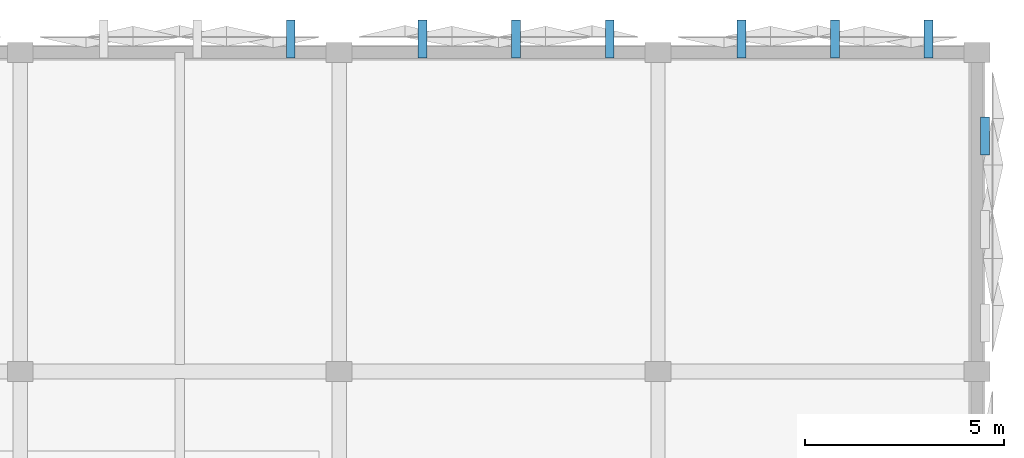
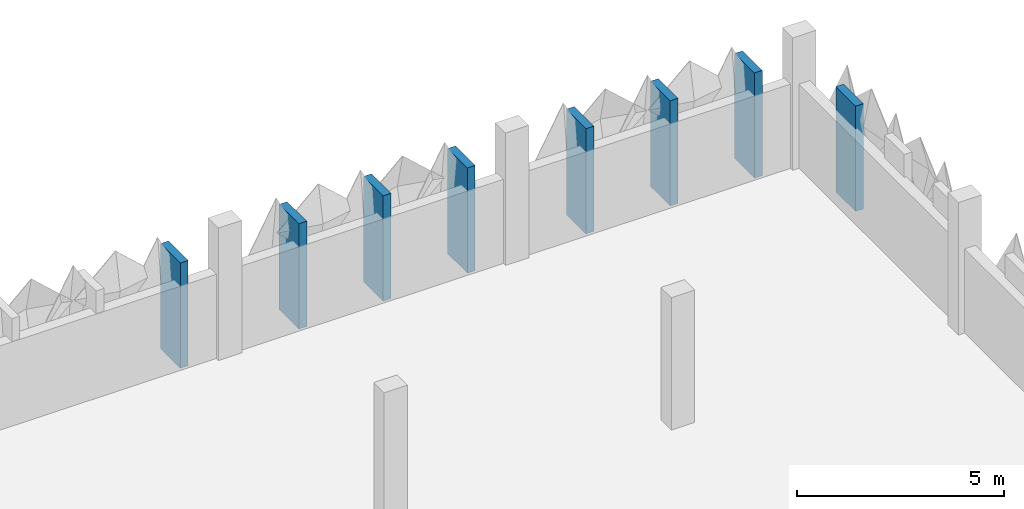
# One storey, part 50 of 83: 8 discrete accessories.
"""IFC4 building model written with IfcOpenShell, lengths in metres."""

from ifc_helpers import new_model, si_unit, derived_unit, direction, frame, origin, origin_2d, place, context, subcontext, project, spatial, rectangle, extrude, material, type_object, element, save


model = new_model("IFC4")

# Units and contexts
model_context = context("Model", 3, precision=1e-05, world=origin(), true_north=direction((0.0, 1.0)))
body_context = subcontext(model_context, "Body", "Model", "MODEL_VIEW")
ifc_project = project(units=[si_unit("LENGTHUNIT", "METRE"), si_unit("AREAUNIT", "SQUARE_METRE"), si_unit("VOLUMEUNIT", "CUBIC_METRE"), si_unit("PLANEANGLEUNIT", "RADIAN"), si_unit("MASSUNIT", "GRAM", prefix="KILO"), si_unit("THERMODYNAMICTEMPERATUREUNIT", "KELVIN"), derived_unit("THERMALTRANSMITTANCEUNIT", [(si_unit("POWERUNIT", "WATT"), 1), (si_unit("AREAUNIT", "SQUARE_METRE"), -1), (si_unit("THERMODYNAMICTEMPERATUREUNIT", "KELVIN"), -1)])], contexts=[model_context])

# Site, building, storey
site_placement = place(None, origin())
site = spatial("IfcSite", under=ifc_project, at=site_placement, CompositionType="ELEMENT")
building_placement = place(site_placement, origin())
building = spatial("IfcBuilding", under=site, at=building_placement, Name="Haiyu Intermodal Mobility Hub", CompositionType="ELEMENT")
storey_placement = place(building_placement, frame((0.0, 0.0, 13.39990234375)))
storey = spatial("IfcBuildingStorey", under=building, at=storey_placement, Name="L03", CompositionType="ELEMENT", Elevation=13.39990234375)

# Discrete accessories
ifc_material = material(Name="Steel Q355C", Category="steel")
discrete_accessory_type = type_object("IfcDiscreteAccessoryType", Name="ACC-BK02", PredefinedType="BRACKET", material=ifc_material)
for number, where, z_axis, x_axis, name in (
    (1, (210.199951171875, 145.906982421875, 0.050048828125), (0.0, 0.0, 1.0), (1.0, 0.0, 0.0), "BRK-PYR-1238"),
    (2, (192.787109375, 148.340087890625, 0.050048828125), (0.0, 0.0, 1.0), (1.0, 0.0, 0.0), "BRK-PYR-1255"),
    (3, (200.787109375, 148.340087890625, 0.050048828125), (0.0, 0.0, 1.0), (1.0, 0.0, 0.0), "BRK-PYR-1262"),
    (4, (198.43994140625, 148.340087890625, 0.050048828125), (0.0, 0.0, 1.0), (1.0, 0.0, 0.0), "BRK-PYR-1265"),
    (5, (196.093017578125, 148.340087890625, 0.050048828125), (0.0, 0.0, 1.0), (1.0, 0.0, 0.0), "BRK-PYR-1266"),
    (6, (208.787109375, 148.340087890625, 0.050048828125), (0.0, 0.0, 1.0), (1.0, 0.0, 0.0), "BRK-PYR-1269"),
    (7, (206.43994140625, 148.340087890625, 0.050048828125), (0.0, 0.0, 1.0), (1.0, 0.0, 0.0), "BRK-PYR-1272"),
    (8, (204.093017578125, 148.340087890625, 0.050048828125), (0.0, 0.0, 1.0), (1.0, 0.0, 0.0), "BRK-PYR-1273"),
):
    element("IfcDiscreteAccessory", number, at=place(storey_placement, frame(where, z_axis=z_axis, x_axis=x_axis)), inside=storey, type_object=discrete_accessory_type, Name=name, PredefinedType="BRACKET", context=body_context, shape_type="SweptSolid", body=[
        extrude(rectangle(XDim=0.219970703125, YDim=0.949951171875, at=origin_2d()), origin(), (0.0, 0.0, 1.0), 3.10009765625),
    ])

save(model, "model.ifc")
